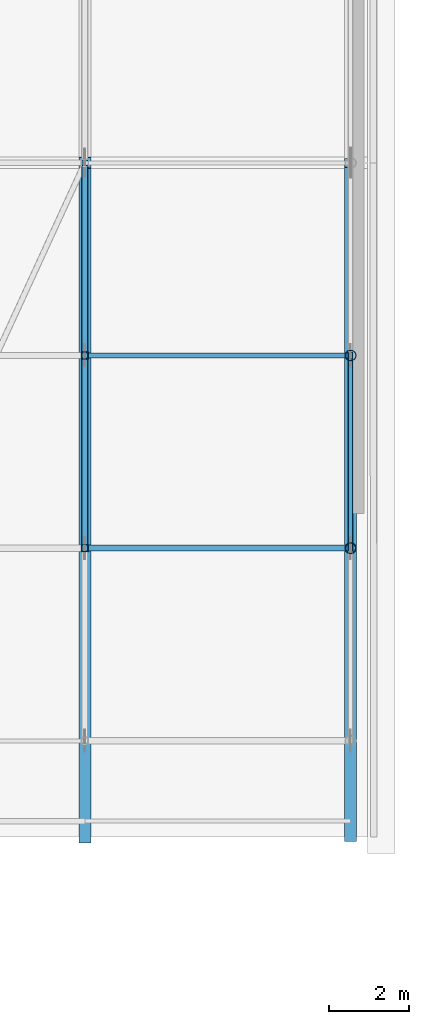
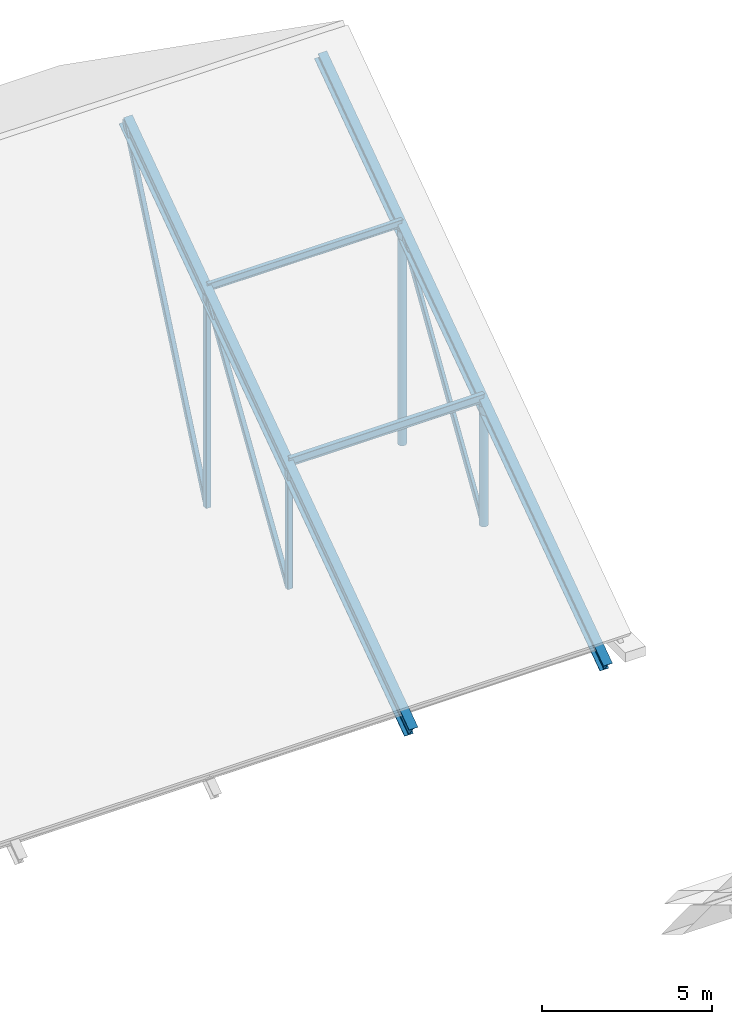
# One storey, part 77 of 134: 11 members.
"""IFC4 building model written with IfcOpenShell, lengths in metres."""

from ifc_helpers import new_model, si_unit, direction, frame, origin, origin_2d, place, context, subcontext, project, spatial, hollow_rectangle, hollow_circle, i_section, extrude, material, material_profile, profile_set, type_object, element, save


model = new_model("IFC4")

# Units and contexts
model_context = context("Model", 3, precision=1e-05, world=origin(), true_north=direction((0.0, 1.0)))
body_context = subcontext(model_context, "Body", "Model", "MODEL_VIEW")
ifc_project = project(units=[si_unit("LENGTHUNIT", "METRE"), si_unit("AREAUNIT", "SQUARE_METRE"), si_unit("VOLUMEUNIT", "CUBIC_METRE"), si_unit("PLANEANGLEUNIT", "RADIAN"), si_unit("MASSUNIT", "GRAM", prefix="KILO")], contexts=[model_context])

# Site, building, storey
site_placement = place(None, origin())
site = spatial("IfcSite", under=ifc_project, at=site_placement, CompositionType="ELEMENT")
building_placement = place(site_placement, origin())
building = spatial("IfcBuilding", under=site, at=building_placement, Name="Asteropetra Specialist Clinic", CompositionType="ELEMENT")
storey_placement = place(building_placement, frame((0.0, 0.0, 8.5)))
storey = spatial("IfcBuildingStorey", under=building, at=storey_placement, Name="L02", CompositionType="ELEMENT", Elevation=8.5)

# Members
ifc_material_1 = material(Name="Steel S355", Category="steel")
ifc_material_profile_1 = material_profile(ifc_material_1, hollow_rectangle(XDim=0.1201171875, YDim=0.199951171875, WallThickness=0.010009765625, InnerFilletRadius=0.008056640625, OuterFilletRadius=0.01611328125, at=origin_2d()), Name="RHS 200x120x10.0")
ifc_profile_set_1 = profile_set([ifc_material_profile_1], Name="Steel S355")
member_type_1 = type_object("IfcMemberType", Name="TR-BRC-RHS200", PredefinedType="BRACE", material=ifc_profile_set_1)
member_1_placement = place(storey_placement, frame((153.10009765625, 81.60009765625, 0.419921875), z_axis=(0.0, 0.530496073374, 0.847687392932), x_axis=(-1.0, 0.0, 0.0)))
element("IfcMember", 1, at=member_1_placement, inside=storey, type_object=member_type_1, Name="Truss Web Diagonal TRV1-D11-1", PredefinedType="BRACE", context=body_context, shape_type="SweptSolid", body=[
    extrude(hollow_rectangle(XDim=0.1201171875, YDim=0.199951171875, WallThickness=0.010009765625, InnerFilletRadius=0.008056640625, OuterFilletRadius=0.01611328125, at=origin_2d()), origin(), (0.0, 0.0, 1.0), 9.0478515625),
])
ifc_material_2 = material(Name="Steel S355", Category="steel")
ifc_material_profile_2 = material_profile(ifc_material_2, hollow_rectangle(XDim=0.159912109375, YDim=0.159912109375, WallThickness=0.008056640625, InnerFilletRadius=0.008056640625, OuterFilletRadius=0.01611328125, at=origin_2d()), Name="SHS 160x160x8.0")
ifc_profile_set_2 = profile_set([ifc_material_profile_2], Name="Steel S355")
member_type_2 = type_object("IfcMemberType", Name="TR-BRC-SHS160", PredefinedType="BRACE", material=ifc_profile_set_2)
member_2_placement = place(storey_placement, frame((146.47998046875, 81.60009765625, 0.469970703125), z_axis=(0.0, 0.532993018055, 0.846119638529), x_axis=(-1.0, 0.0, 0.0)))
element("IfcMember", 2, at=member_2_placement, inside=storey, type_object=member_type_2, Name="Truss Web Diagonal TRV1-D10-1", PredefinedType="BRACE", context=body_context, shape_type="SweptSolid", body=[
    extrude(hollow_rectangle(XDim=0.159912109375, YDim=0.159912109375, WallThickness=0.008056640625, InnerFilletRadius=0.008056640625, OuterFilletRadius=0.01611328125, at=origin_2d()), origin(), (0.0, 0.0, 1.0), 9.00537109375),
])
member_3_placement = place(storey_placement, frame((146.47998046875, 86.39990234375, 0.469970703125), z_axis=(0.0, 0.400223947017, 0.916417367925), x_axis=(-1.0, 0.0, 0.0)))
element("IfcMember", 3, at=member_3_placement, inside=storey, type_object=member_type_2, Name="Truss Web Diagonal TRV1-D10-2", PredefinedType="BRACE", context=body_context, shape_type="SweptSolid", body=[
    extrude(hollow_rectangle(XDim=0.159912109375, YDim=0.159912109375, WallThickness=0.008056640625, InnerFilletRadius=0.008056640625, OuterFilletRadius=0.01611328125, at=origin_2d()), origin(), (0.0, 0.0, 1.0), 11.993408203125),
])
ifc_material_3 = material(Name="Steel S355", Category="steel")
ifc_material_profile_3 = material_profile(ifc_material_3, i_section(OverallWidth=0.300048828125, OverallDepth=0.389892578125, WebThickness=0.010986328125, FlangeThickness=0.01904296875, FilletRadius=0.027099609375, at=origin_2d()), Name="HEA 400")
ifc_profile_set_3 = profile_set([ifc_material_profile_3], Name="Steel S355")
member_type_3 = type_object("IfcMemberType", Name="TR-CHD-HEA400", PredefinedType="CHORD", material=ifc_profile_set_3)
member_4_placement = place(storey_placement, frame((153.10009765625, 74.39990234375, -0.339111328125), z_axis=(0.0, 0.818315202226, 0.574769718936), x_axis=(-1.0, 0.0, 0.0)))
element("IfcMember", 4, at=member_4_placement, inside=storey, type_object=member_type_3, Name="Truss South Top Chord TRV1-TCS11", PredefinedType="CHORD", context=body_context, shape_type="SweptSolid", body=[
    extrude(i_section(OverallWidth=0.300048828125, OverallDepth=0.389892578125, WebThickness=0.010986328125, FlangeThickness=0.01904296875, FilletRadius=0.027099609375, at=origin_2d()), origin(), (0.0, 0.0, 1.0), 20.530029296875),
])
ifc_material_4 = material(Name="Steel S355", Category="steel")
ifc_material_profile_4 = material_profile(ifc_material_4, i_section(OverallWidth=0.300048828125, OverallDepth=0.489990234375, WebThickness=0.011962890625, FlangeThickness=0.02294921875, FilletRadius=0.027099609375, at=origin_2d()), Name="HEA 500")
ifc_profile_set_4 = profile_set([ifc_material_profile_4], Name="Steel S355")
member_type_4 = type_object("IfcMemberType", Name="TR-CHD-HEA500", PredefinedType="CHORD", material=ifc_profile_set_4)
member_5_placement = place(storey_placement, frame((146.47998046875, 74.39990234375, -0.339111328125), z_axis=(0.0, 0.818315202226, 0.574769718936), x_axis=(-1.0, 0.0, 0.0)))
element("IfcMember", 5, at=member_5_placement, inside=storey, type_object=member_type_4, Name="Truss South Top Chord TRV1-TCS10", PredefinedType="CHORD", context=body_context, shape_type="SweptSolid", body=[
    extrude(i_section(OverallWidth=0.300048828125, OverallDepth=0.489990234375, WebThickness=0.011962890625, FlangeThickness=0.02294921875, FilletRadius=0.027099609375, at=origin_2d()), origin(), (0.0, 0.0, 1.0), 20.530029296875),
])
ifc_material_5 = material(Name="Steel S355", Category="steel")
ifc_material_profile_5 = material_profile(ifc_material_5, i_section(OverallWidth=0.135009765625, OverallDepth=0.27001953125, WebThickness=0.006591796875, FlangeThickness=0.01025390625, FilletRadius=0.014892578125, at=origin_2d()), Name="IPE 270")
ifc_profile_set_5 = profile_set([ifc_material_profile_5], Name="Steel S355")
member_type_5 = type_object("IfcMemberType", Name="TR-PUR-IPE270", PredefinedType="PURLIN", material=ifc_profile_set_5)
member_6_placement = place(storey_placement, frame((146.47998046875, 86.39990234375, 8.359619140625), z_axis=(1.0, 0.0, 0.0), x_axis=(0.0, 1.0, 0.0)))
element("IfcMember", 6, at=member_6_placement, inside=storey, type_object=member_type_5, Name="Roof Purlin TRV1-P10-04", PredefinedType="PURLIN", context=body_context, shape_type="SweptSolid", body=[
    extrude(i_section(OverallWidth=0.135009765625, OverallDepth=0.27001953125, WebThickness=0.006591796875, FlangeThickness=0.01025390625, FilletRadius=0.014892578125, at=origin_2d()), origin(), (0.0, 0.0, 1.0), 6.6201171875),
])
ifc_material_6 = material(Name="Steel S355", Category="steel")
ifc_material_profile_6 = material_profile(ifc_material_6, i_section(OverallWidth=0.14990234375, OverallDepth=0.300048828125, WebThickness=0.007080078125, FlangeThickness=0.0107421875, FilletRadius=0.014892578125, at=origin_2d()), Name="IPE 300")
ifc_profile_set_6 = profile_set([ifc_material_profile_6], Name="Steel S355")
member_type_6 = type_object("IfcMemberType", Name="TR-PUR-IPE300", PredefinedType="PURLIN", material=ifc_profile_set_6)
member_7_placement = place(storey_placement, frame((146.47998046875, 81.60009765625, 5.003173828125), z_axis=(1.0, 0.0, 0.0), x_axis=(0.0, 1.0, 0.0)))
element("IfcMember", 7, at=member_7_placement, inside=storey, type_object=member_type_6, Name="Roof Purlin TRV1-P10-03", PredefinedType="PURLIN", context=body_context, shape_type="SweptSolid", body=[
    extrude(i_section(OverallWidth=0.14990234375, OverallDepth=0.300048828125, WebThickness=0.007080078125, FlangeThickness=0.0107421875, FilletRadius=0.014892578125, at=origin_2d()), origin(), (0.0, 0.0, 1.0), 6.6201171875),
])
ifc_material_7 = material(Name="Steel S355", Category="steel")
ifc_material_profile_7 = material_profile(ifc_material_7, hollow_circle(Radius=0.136474609375, WallThickness=0.012451171875, at=origin_2d()), Name="CHS 273.0x12.5")
ifc_profile_set_7 = profile_set([ifc_material_profile_7], Name="Steel S355")
member_type_7 = type_object("IfcMemberType", Name="TR-STR-CHS273", PredefinedType="STRUT", material=ifc_profile_set_7)
member_8_placement = place(storey_placement, frame((153.10009765625, 81.60009765625, 0.419921875), z_axis=(0.0, 0.0, 1.0), x_axis=(1.0, 0.0, 0.0)))
element("IfcMember", 8, at=member_8_placement, inside=storey, type_object=member_type_7, Name="Truss Web Strut TRV1-V11-1", PredefinedType="STRUT", context=body_context, shape_type="SweptSolid", body=[
    extrude(hollow_circle(Radius=0.136474609375, WallThickness=0.012451171875, at=origin_2d()), origin(), (0.0, 0.0, 1.0), 4.298095703125),
])
member_9_placement = place(storey_placement, frame((153.10009765625, 86.39990234375, 0.419921875), z_axis=(0.0, 0.0, 1.0), x_axis=(1.0, 0.0, 0.0)))
element("IfcMember", 9, at=member_9_placement, inside=storey, type_object=member_type_7, Name="Truss Web Strut TRV1-V11-2", PredefinedType="STRUT", context=body_context, shape_type="SweptSolid", body=[
    extrude(hollow_circle(Radius=0.136474609375, WallThickness=0.012451171875, at=origin_2d()), origin(), (0.0, 0.0, 1.0), 7.669677734375),
])
ifc_material_8 = material(Name="Steel S355", Category="steel")
ifc_material_profile_8 = material_profile(ifc_material_8, hollow_rectangle(XDim=0.179931640625, YDim=0.179931640625, WallThickness=0.010009765625, InnerFilletRadius=0.008056640625, OuterFilletRadius=0.01611328125, at=origin_2d()), Name="SHS 180x180x10.0")
ifc_profile_set_8 = profile_set([ifc_material_profile_8], Name="Steel S355")
member_type_8 = type_object("IfcMemberType", Name="TR-STR-SHS180", PredefinedType="STRUT", material=ifc_profile_set_8)
member_10_placement = place(storey_placement, frame((146.47998046875, 81.60009765625, 0.469970703125), z_axis=(0.0, 0.0, 1.0), x_axis=(1.0, 0.0, 0.0)))
element("IfcMember", 10, at=member_10_placement, inside=storey, type_object=member_type_8, Name="Truss Web Strut TRV1-V10-1", PredefinedType="STRUT", context=body_context, shape_type="SweptSolid", body=[
    extrude(hollow_rectangle(XDim=0.179931640625, YDim=0.179931640625, WallThickness=0.010009765625, InnerFilletRadius=0.008056640625, OuterFilletRadius=0.01611328125, at=origin_2d()), origin(), (0.0, 0.0, 1.0), 4.248046875),
])
member_11_placement = place(storey_placement, frame((146.47998046875, 86.39990234375, 0.469970703125), z_axis=(0.0, 0.0, 1.0), x_axis=(1.0, 0.0, 0.0)))
element("IfcMember", 11, at=member_11_placement, inside=storey, type_object=member_type_8, Name="Truss Web Strut TRV1-V10-2", PredefinedType="STRUT", context=body_context, shape_type="SweptSolid", body=[
    extrude(hollow_rectangle(XDim=0.179931640625, YDim=0.179931640625, WallThickness=0.010009765625, InnerFilletRadius=0.008056640625, OuterFilletRadius=0.01611328125, at=origin_2d()), origin(), (0.0, 0.0, 1.0), 7.61962890625),
])

save(model, "model.ifc")
